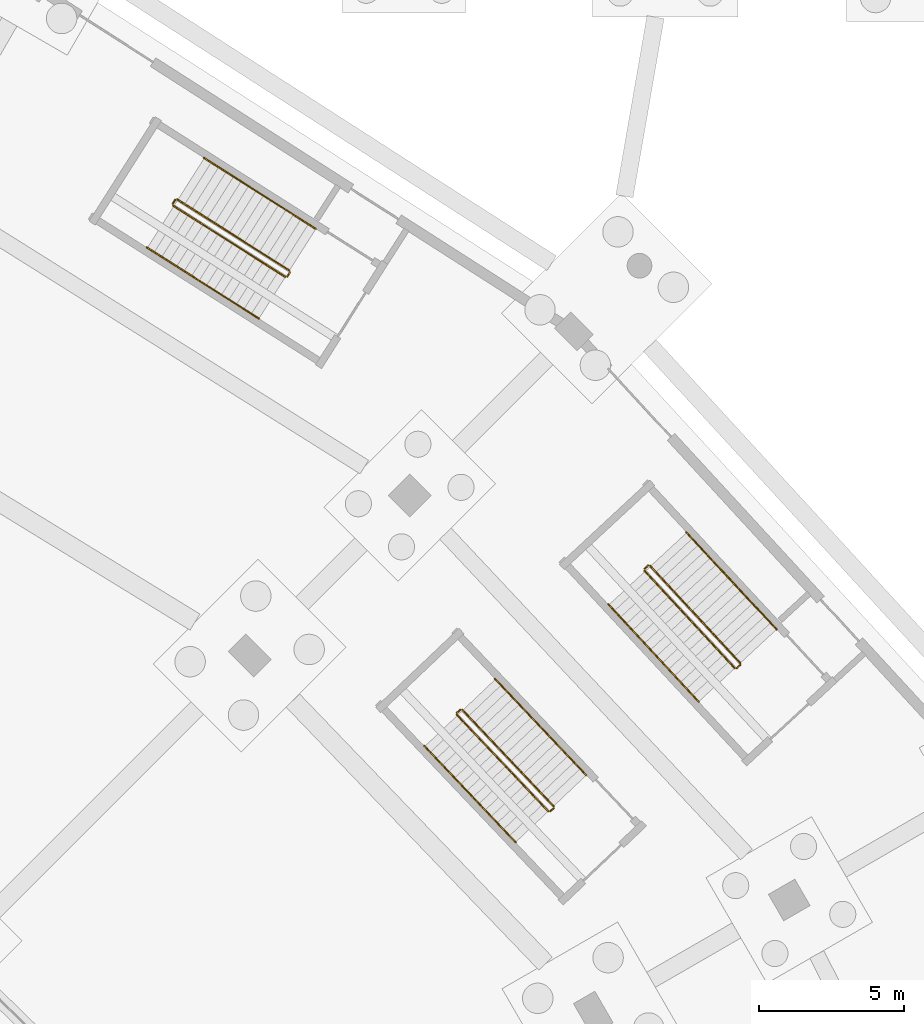
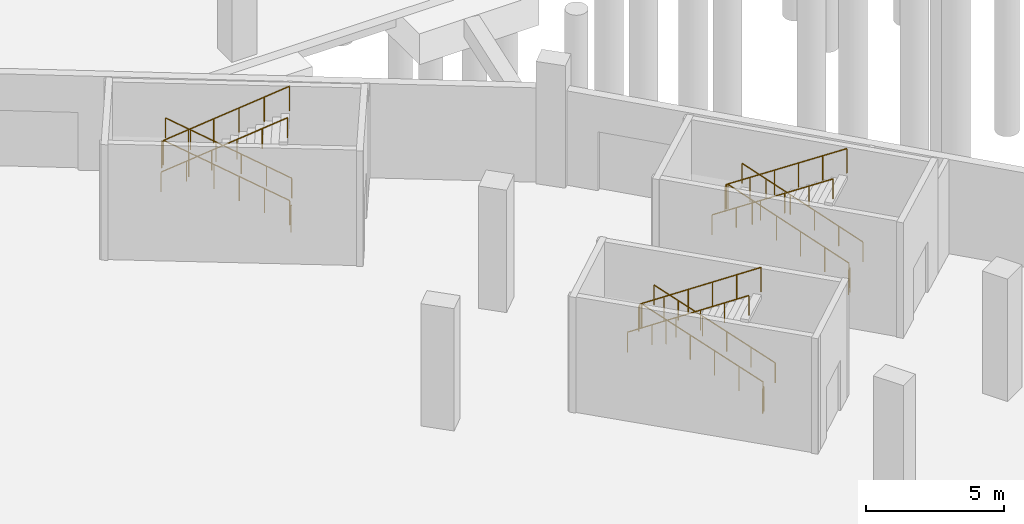
# One storey, part 98 of 103: 18 railings.
"""IFC4 building model written with IfcOpenShell, lengths in metres."""

from ifc_helpers import new_model, si_unit, direction, frame, origin, origin_2d, place, context, subcontext, project, spatial, circle, extrude, material, type_object, element, save


model = new_model("IFC4")

# Units and contexts
model_context = context("Model", 3, precision=1e-05, world=origin(), true_north=direction((0.0, 1.0)))
body_context = subcontext(model_context, "Body", "Model", "MODEL_VIEW")
ifc_project = project(units=[si_unit("LENGTHUNIT", "METRE"), si_unit("AREAUNIT", "SQUARE_METRE"), si_unit("VOLUMEUNIT", "CUBIC_METRE"), si_unit("PLANEANGLEUNIT", "RADIAN"), si_unit("MASSUNIT", "GRAM", prefix="KILO")], contexts=[model_context])

# Site, building, storey
site_placement = place(None, origin())
site = spatial("IfcSite", under=ifc_project, at=site_placement, CompositionType="ELEMENT")
building_placement = place(site_placement, origin())
building = spatial("IfcBuilding", under=site, at=building_placement, Name="Zevraka Park Crest Stadium", CompositionType="ELEMENT")
storey_placement = place(building_placement, origin())
storey = spatial("IfcBuildingStorey", under=building, at=storey_placement, Name="L00", CompositionType="ELEMENT", Elevation=0.0)

# Railings
ifc_material_1 = material(Name="Powder-coated tubular steel stairwell guard", Category="steel")
railing_type_1 = type_object("IfcRailingType", Name="GR03", PredefinedType="GUARDRAIL", material=ifc_material_1)
railing_1_placement = place(storey_placement, frame((181.589599609375, 133.81787109375, 0.168701171875)))
element("IfcRailing", 1, at=railing_1_placement, inside=storey, type_object=railing_type_1, Name="L00 ST03 stair guard 1", PredefinedType="GUARDRAIL", context=body_context, shape_type="SweptSolid", body=[
    extrude(circle(Radius=0.02392578125, at=origin_2d()), frame((0.0, 0.0, 1.076171875), z_axis=(-0.595200057944, 0.641379775313, 0.484116592199), x_axis=(-0.733002525421, -0.680225916682, 0.0)), (0.0, 0.0, 1.0), 5.228515625),
    extrude(circle(Radius=0.02099609375, at=origin_2d()), origin(), (0.0, 0.0, 1.0), 1.052001953125),
    extrude(circle(Radius=0.02099609375, at=origin_2d()), frame((-0.622314453125, 0.670654296875, 0.50634765625)), (0.0, 0.0, 1.0), 1.052001953125),
    extrude(circle(Radius=0.02099609375, at=origin_2d()), frame((-1.244873046875, 1.34130859375, 1.012451171875)), (0.0, 0.0, 1.0), 1.052001953125),
    extrude(circle(Radius=0.02099609375, at=origin_2d()), frame((-1.8671875, 2.01220703125, 1.518798828125)), (0.0, 0.0, 1.0), 1.052001953125),
    extrude(circle(Radius=0.02099609375, at=origin_2d()), frame((-2.48974609375, 2.682861328125, 2.02490234375)), (0.0, 0.0, 1.0), 1.052001953125),
    extrude(circle(Radius=0.02099609375, at=origin_2d()), frame((-3.112060546875, 3.353515625, 2.53125)), (0.0, 0.0, 1.0), 1.052001953125),
])
railing_2_placement = place(storey_placement, frame((178.40673828125, 137.174072265625, 2.699951171875)))
element("IfcRailing", 2, at=railing_2_placement, inside=storey, type_object=railing_type_1, Name="L00 ST03 stair guard 2", PredefinedType="GUARDRAIL", context=body_context, shape_type="SweptSolid", body=[
    extrude(circle(Radius=0.02392578125, at=origin_2d()), frame((0.0, 0.0, 1.076171875), z_axis=(-0.732576022975, -0.680685221348, 0.0), x_axis=(0.680685221348, -0.732576022975, 0.0)), (0.0, 0.0, 1.0), 0.159912109375),
    extrude(circle(Radius=0.02099609375, at=origin_2d()), origin(), (0.0, 0.0, 1.0), 1.052001953125),
    extrude(circle(Radius=0.02099609375, at=origin_2d()), frame((-0.1171875, -0.10888671875, 0.0)), (0.0, 0.0, 1.0), 1.052001953125),
])
railing_3_placement = place(storey_placement, frame((178.286865234375, 136.994384765625, 2.86865234375)))
element("IfcRailing", 3, at=railing_3_placement, inside=storey, type_object=railing_type_1, Name="L00 ST03 stair guard 3", PredefinedType="GUARDRAIL", context=body_context, shape_type="SweptSolid", body=[
    extrude(circle(Radius=0.02392578125, at=origin_2d()), frame((0.0, 0.0, 1.076171875), z_axis=(0.595248033516, -0.641334463473, 0.484117635041), x_axis=(0.732951223976, 0.680281194266, 0.0)), (0.0, 0.0, 1.0), 5.228515625),
    extrude(circle(Radius=0.02099609375, at=origin_2d()), origin(), (0.0, 0.0, 1.0), 1.052001953125),
    extrude(circle(Radius=0.02099609375, at=origin_2d()), frame((0.62255859375, -0.670654296875, 0.50634765625)), (0.0, 0.0, 1.0), 1.052001953125),
    extrude(circle(Radius=0.02099609375, at=origin_2d()), frame((1.244873046875, -1.34130859375, 1.012451171875)), (0.0, 0.0, 1.0), 1.052001953125),
    extrude(circle(Radius=0.02099609375, at=origin_2d()), frame((1.867431640625, -2.011962890625, 1.518798828125)), (0.0, 0.0, 1.0), 1.052001953125),
    extrude(circle(Radius=0.02099609375, at=origin_2d()), frame((2.48974609375, -2.6826171875, 2.02490234375)), (0.0, 0.0, 1.0), 1.052001953125),
    extrude(circle(Radius=0.02099609375, at=origin_2d()), frame((3.1123046875, -3.353271484375, 2.53125)), (0.0, 0.0, 1.0), 1.052001953125),
])
railing_4_placement = place(storey_placement, frame((181.5869140625, 133.747314453125, 0.0)))
element("IfcRailing", 4, at=railing_4_placement, inside=storey, type_object=railing_type_1, Name="L00 ST03 stair guard 4", PredefinedType="GUARDRAIL", context=body_context, shape_type="SweptSolid", body=[
    extrude(circle(Radius=0.02392578125, at=origin_2d()), frame((0.0, 0.0, 1.076171875), z_axis=(-0.732576022975, -0.680685221348, 0.0), x_axis=(0.680685221348, -0.732576022975, 0.0)), (0.0, 0.0, 1.0), 0.159912109375),
    extrude(circle(Radius=0.02099609375, at=origin_2d()), origin(), (0.0, 0.0, 1.0), 1.052001953125),
    extrude(circle(Radius=0.02099609375, at=origin_2d()), frame((-0.1171875, -0.10888671875, 0.0)), (0.0, 0.0, 1.0), 1.052001953125),
])
railing_5_placement = place(storey_placement, frame((166.047607421875, 147.342529296875, 0.168701171875)))
element("IfcRailing", 5, at=railing_5_placement, inside=storey, type_object=railing_type_1, Name="L00 ST04 stair guard 1", PredefinedType="GUARDRAIL", context=body_context, shape_type="SweptSolid", body=[
    extrude(circle(Radius=0.02392578125, at=origin_2d()), frame((0.0, 0.0, 1.076171875), z_axis=(-0.738861952771, 0.468745901407, 0.48410773043), x_axis=(-0.535704457002, -0.844405551111, 0.0)), (0.0, 0.0, 1.0), 5.228759765625),
    extrude(circle(Radius=0.02099609375, at=origin_2d()), origin(), (0.0, 0.0, 1.0), 1.052001953125),
    extrude(circle(Radius=0.02099609375, at=origin_2d()), frame((-0.772705078125, 0.490234375, 0.50634765625)), (0.0, 0.0, 1.0), 1.052001953125),
    extrude(circle(Radius=0.02099609375, at=origin_2d()), frame((-1.54541015625, 0.98046875, 1.012451171875)), (0.0, 0.0, 1.0), 1.052001953125),
    extrude(circle(Radius=0.02099609375, at=origin_2d()), frame((-2.31787109375, 1.470458984375, 1.518798828125)), (0.0, 0.0, 1.0), 1.052001953125),
    extrude(circle(Radius=0.02099609375, at=origin_2d()), frame((-3.090576171875, 1.960693359375, 2.02490234375)), (0.0, 0.0, 1.0), 1.052001953125),
    extrude(circle(Radius=0.02099609375, at=origin_2d()), frame((-3.86328125, 2.450927734375, 2.53125)), (0.0, 0.0, 1.0), 1.052001953125),
])
railing_6_placement = place(storey_placement, frame((162.115478515625, 149.778076171875, 2.699951171875)))
element("IfcRailing", 6, at=railing_6_placement, inside=storey, type_object=railing_type_1, Name="L00 ST04 stair guard 2", PredefinedType="GUARDRAIL", context=body_context, shape_type="SweptSolid", body=[
    extrude(circle(Radius=0.02392578125, at=origin_2d()), frame((0.0, 0.0, 1.076171875), z_axis=(-0.535887230789, -0.844289568736, 0.0), x_axis=(0.844289568736, -0.535887230789, 0.0)), (0.0, 0.0, 1.0), 0.159912109375),
    extrude(circle(Radius=0.02099609375, at=origin_2d()), origin(), (0.0, 0.0, 1.0), 1.052001953125),
    extrude(circle(Radius=0.02099609375, at=origin_2d()), frame((-0.085693359375, -0.135009765625, 0.0)), (0.0, 0.0, 1.0), 1.052001953125),
])
railing_7_placement = place(storey_placement, frame((162.045166015625, 149.573974609375, 2.86865234375)))
element("IfcRailing", 7, at=railing_7_placement, inside=storey, type_object=railing_type_1, Name="L00 ST04 stair guard 3", PredefinedType="GUARDRAIL", context=body_context, shape_type="SweptSolid", body=[
    extrude(circle(Radius=0.02392578125, at=origin_2d()), frame((0.0, 0.0, 1.076171875), z_axis=(0.738840749407, -0.46876207314, 0.484124432146), x_axis=(0.535728596419, 0.844390236193, 0.0)), (0.0, 0.0, 1.0), 5.228515625),
    extrude(circle(Radius=0.02099609375, at=origin_2d()), origin(), (0.0, 0.0, 1.0), 1.052001953125),
    extrude(circle(Radius=0.02099609375, at=origin_2d()), frame((0.772705078125, -0.490234375, 0.50634765625)), (0.0, 0.0, 1.0), 1.052001953125),
    extrude(circle(Radius=0.02099609375, at=origin_2d()), frame((1.545166015625, -0.98046875, 1.012451171875)), (0.0, 0.0, 1.0), 1.052001953125),
    extrude(circle(Radius=0.02099609375, at=origin_2d()), frame((2.31787109375, -1.470458984375, 1.518798828125)), (0.0, 0.0, 1.0), 1.052001953125),
    extrude(circle(Radius=0.02099609375, at=origin_2d()), frame((3.09033203125, -1.960693359375, 2.02490234375)), (0.0, 0.0, 1.0), 1.052001953125),
    extrude(circle(Radius=0.02099609375, at=origin_2d()), frame((3.863037109375, -2.450927734375, 2.53125)), (0.0, 0.0, 1.0), 1.052001953125),
])
railing_8_placement = place(storey_placement, frame((166.06298828125, 147.273681640625, 0.0)))
element("IfcRailing", 8, at=railing_8_placement, inside=storey, type_object=railing_type_1, Name="L00 ST04 stair guard 4", PredefinedType="GUARDRAIL", context=body_context, shape_type="SweptSolid", body=[
    extrude(circle(Radius=0.02392578125, at=origin_2d()), frame((0.0, 0.0, 1.076171875), z_axis=(-0.535197175111, -0.844727165275, 0.0), x_axis=(0.844727165275, -0.535197175111, 0.0)), (0.0, 0.0, 1.0), 0.16015625),
    extrude(circle(Radius=0.02099609375, at=origin_2d()), origin(), (0.0, 0.0, 1.0), 1.052001953125),
    extrude(circle(Radius=0.02099609375, at=origin_2d()), frame((-0.085693359375, -0.13525390625, 0.0)), (0.0, 0.0, 1.0), 1.052001953125),
])
railing_9_placement = place(storey_placement, frame((175.155029296875, 128.885986328125, 0.168701171875)))
element("IfcRailing", 9, at=railing_9_placement, inside=storey, type_object=railing_type_1, Name="L00 ST34 stair guard 1", PredefinedType="GUARDRAIL", context=body_context, shape_type="SweptSolid", body=[
    extrude(circle(Radius=0.02392578125, at=origin_2d()), frame((0.0, 0.0, 1.076171875), z_axis=(-0.602303917005, 0.634709445992, 0.484121793279), x_axis=(-0.725381707983, -0.688346844057, 0.0)), (0.0, 0.0, 1.0), 5.228515625),
    extrude(circle(Radius=0.02099609375, at=origin_2d()), origin(), (0.0, 0.0, 1.0), 1.052001953125),
    extrude(circle(Radius=0.02099609375, at=origin_2d()), frame((-0.6298828125, 0.663818359375, 0.50634765625)), (0.0, 0.0, 1.0), 1.052001953125),
    extrude(circle(Radius=0.02099609375, at=origin_2d()), frame((-1.259765625, 1.327392578125, 1.012451171875)), (0.0, 0.0, 1.0), 1.052001953125),
    extrude(circle(Radius=0.02099609375, at=origin_2d()), frame((-1.889404296875, 1.9912109375, 1.518798828125)), (0.0, 0.0, 1.0), 1.052001953125),
    extrude(circle(Radius=0.02099609375, at=origin_2d()), frame((-2.519287109375, 2.65478515625, 2.02490234375)), (0.0, 0.0, 1.0), 1.052001953125),
    extrude(circle(Radius=0.02099609375, at=origin_2d()), frame((-3.149169921875, 3.318603515625, 2.53125)), (0.0, 0.0, 1.0), 1.052001953125),
])
railing_10_placement = place(storey_placement, frame((171.93505859375, 132.20654296875, 2.699951171875)))
element("IfcRailing", 10, at=railing_10_placement, inside=storey, type_object=railing_type_1, Name="L00 ST34 stair guard 2", PredefinedType="GUARDRAIL", context=body_context, shape_type="SweptSolid", body=[
    extrude(circle(Radius=0.02392578125, at=origin_2d()), frame((0.0, 0.0, 1.076171875), z_axis=(-0.725189994535, -0.688548815863, 0.0), x_axis=(0.688548815863, -0.725189994535, 0.0)), (0.0, 0.0, 1.0), 0.159912109375),
    extrude(circle(Radius=0.02099609375, at=origin_2d()), origin(), (0.0, 0.0, 1.0), 1.052001953125),
    extrude(circle(Radius=0.02099609375, at=origin_2d()), frame((-0.115966796875, -0.110107421875, 0.0)), (0.0, 0.0, 1.0), 1.052001953125),
])
railing_11_placement = place(storey_placement, frame((171.817138671875, 132.025634765625, 2.86865234375)))
element("IfcRailing", 11, at=railing_11_placement, inside=storey, type_object=railing_type_1, Name="L00 ST34 stair guard 3", PredefinedType="GUARDRAIL", context=body_context, shape_type="SweptSolid", body=[
    extrude(circle(Radius=0.02392578125, at=origin_2d()), frame((0.0, 0.0, 1.076171875), z_axis=(0.602303917005, -0.634709445992, 0.484121793279), x_axis=(0.725381707983, 0.688346844057, 0.0)), (0.0, 0.0, 1.0), 5.228515625),
    extrude(circle(Radius=0.02099609375, at=origin_2d()), origin(), (0.0, 0.0, 1.0), 1.052001953125),
    extrude(circle(Radius=0.02099609375, at=origin_2d()), frame((0.6298828125, -0.663818359375, 0.50634765625)), (0.0, 0.0, 1.0), 1.052001953125),
    extrude(circle(Radius=0.02099609375, at=origin_2d()), frame((1.259765625, -1.327392578125, 1.012451171875)), (0.0, 0.0, 1.0), 1.052001953125),
    extrude(circle(Radius=0.02099609375, at=origin_2d()), frame((1.889404296875, -1.9912109375, 1.518798828125)), (0.0, 0.0, 1.0), 1.052001953125),
    extrude(circle(Radius=0.02099609375, at=origin_2d()), frame((2.519287109375, -2.65478515625, 2.02490234375)), (0.0, 0.0, 1.0), 1.052001953125),
    extrude(circle(Radius=0.02099609375, at=origin_2d()), frame((3.149169921875, -3.318603515625, 2.53125)), (0.0, 0.0, 1.0), 1.052001953125),
])
railing_12_placement = place(storey_placement, frame((175.153076171875, 128.815185546875, 0.0)))
element("IfcRailing", 12, at=railing_12_placement, inside=storey, type_object=railing_type_1, Name="L00 ST34 stair guard 4", PredefinedType="GUARDRAIL", context=body_context, shape_type="SweptSolid", body=[
    extrude(circle(Radius=0.02392578125, at=origin_2d()), frame((0.0, 0.0, 1.076171875), z_axis=(-0.725189994535, -0.688548815863, 0.0), x_axis=(0.688548815863, -0.725189994535, 0.0)), (0.0, 0.0, 1.0), 0.159912109375),
    extrude(circle(Radius=0.02099609375, at=origin_2d()), origin(), (0.0, 0.0, 1.0), 1.052001953125),
    extrude(circle(Radius=0.02099609375, at=origin_2d()), frame((-0.115966796875, -0.110107421875, 0.0)), (0.0, 0.0, 1.0), 1.052001953125),
])
ifc_material_2 = material(Name="Brushed stainless steel continuous handrail", Category="steel")
railing_type_2 = type_object("IfcRailingType", Name="HR01", PredefinedType="HANDRAIL", material=ifc_material_2)
railing_13_placement = place(storey_placement, frame((182.835693359375, 134.974365234375, 0.168701171875)))
element("IfcRailing", 13, at=railing_13_placement, inside=storey, type_object=railing_type_2, Name="L00 ST03 stair handrail 1", PredefinedType="HANDRAIL", context=body_context, shape_type="SweptSolid", body=[
    extrude(circle(Radius=0.02392578125, at=origin_2d()), frame((0.0, 0.0, 0.8759765625), z_axis=(-0.595200057944, 0.641379775313, 0.484116592199), x_axis=(-0.733002525421, -0.680225916682, 0.0)), (0.0, 0.0, 1.0), 5.228515625),
    extrude(circle(Radius=0.02099609375, at=origin_2d()), origin(), (0.0, 0.0, 1.0), 0.851806640625),
    extrude(circle(Radius=0.02099609375, at=origin_2d()), frame((-0.622314453125, 0.670654296875, 0.50634765625)), (0.0, 0.0, 1.0), 0.851806640625),
    extrude(circle(Radius=0.02099609375, at=origin_2d()), frame((-1.244873046875, 1.34130859375, 1.012451171875)), (0.0, 0.0, 1.0), 0.851806640625),
    extrude(circle(Radius=0.02099609375, at=origin_2d()), frame((-1.8671875, 2.01220703125, 1.518798828125)), (0.0, 0.0, 1.0), 0.851806640625),
    extrude(circle(Radius=0.02099609375, at=origin_2d()), frame((-2.48974609375, 2.682861328125, 2.02490234375)), (0.0, 0.0, 1.0), 0.851806640625),
    extrude(circle(Radius=0.02099609375, at=origin_2d()), frame((-3.112060546875, 3.353515625, 2.53125)), (0.0, 0.0, 1.0), 0.851806640625),
])
railing_14_placement = place(storey_placement, frame((177.040771484375, 135.838134765625, 2.86865234375)))
element("IfcRailing", 14, at=railing_14_placement, inside=storey, type_object=railing_type_2, Name="L00 ST03 stair handrail 2", PredefinedType="HANDRAIL", context=body_context, shape_type="SweptSolid", body=[
    extrude(circle(Radius=0.02392578125, at=origin_2d()), frame((0.0, 0.0, 0.8759765625), z_axis=(0.595230208302, -0.641361950207, 0.484103137722), x_axis=(0.732975918341, 0.680254586998, 0.0)), (0.0, 0.0, 1.0), 5.228759765625),
    extrude(circle(Radius=0.02099609375, at=origin_2d()), origin(), (0.0, 0.0, 1.0), 0.851806640625),
    extrude(circle(Radius=0.02099609375, at=origin_2d()), frame((0.62255859375, -0.670654296875, 0.50634765625)), (0.0, 0.0, 1.0), 0.851806640625),
    extrude(circle(Radius=0.02099609375, at=origin_2d()), frame((1.244873046875, -1.34130859375, 1.012451171875)), (0.0, 0.0, 1.0), 0.851806640625),
    extrude(circle(Radius=0.02099609375, at=origin_2d()), frame((1.867431640625, -2.01220703125, 1.518798828125)), (0.0, 0.0, 1.0), 0.851806640625),
    extrude(circle(Radius=0.02099609375, at=origin_2d()), frame((2.48974609375, -2.682861328125, 2.02490234375)), (0.0, 0.0, 1.0), 0.851806640625),
    extrude(circle(Radius=0.02099609375, at=origin_2d()), frame((3.1123046875, -3.353515625, 2.53125)), (0.0, 0.0, 1.0), 0.851806640625),
])
railing_15_placement = place(storey_placement, frame((166.958251953125, 148.778076171875, 0.168701171875)))
element("IfcRailing", 15, at=railing_15_placement, inside=storey, type_object=railing_type_2, Name="L00 ST04 stair handrail 1", PredefinedType="HANDRAIL", context=body_context, shape_type="SweptSolid", body=[
    extrude(circle(Radius=0.02392578125, at=origin_2d()), frame((0.0, 0.0, 0.8759765625), z_axis=(-0.738840749407, 0.46876207314, 0.484124432146), x_axis=(-0.535728596419, -0.844390236193, 0.0)), (0.0, 0.0, 1.0), 5.228515625),
    extrude(circle(Radius=0.02099609375, at=origin_2d()), origin(), (0.0, 0.0, 1.0), 0.851806640625),
    extrude(circle(Radius=0.02099609375, at=origin_2d()), frame((-0.772705078125, 0.490234375, 0.50634765625)), (0.0, 0.0, 1.0), 0.851806640625),
    extrude(circle(Radius=0.02099609375, at=origin_2d()), frame((-1.545166015625, 0.98046875, 1.012451171875)), (0.0, 0.0, 1.0), 0.851806640625),
    extrude(circle(Radius=0.02099609375, at=origin_2d()), frame((-2.31787109375, 1.470458984375, 1.518798828125)), (0.0, 0.0, 1.0), 0.851806640625),
    extrude(circle(Radius=0.02099609375, at=origin_2d()), frame((-3.09033203125, 1.960693359375, 2.02490234375)), (0.0, 0.0, 1.0), 0.851806640625),
    extrude(circle(Radius=0.02099609375, at=origin_2d()), frame((-3.863037109375, 2.450927734375, 2.53125)), (0.0, 0.0, 1.0), 0.851806640625),
])
railing_16_placement = place(storey_placement, frame((161.13427734375, 148.138427734375, 2.86865234375)))
element("IfcRailing", 16, at=railing_16_placement, inside=storey, type_object=railing_type_2, Name="L00 ST04 stair handrail 2", PredefinedType="HANDRAIL", context=body_context, shape_type="SweptSolid", body=[
    extrude(circle(Radius=0.02392578125, at=origin_2d()), frame((0.0, 0.0, 0.8759765625), z_axis=(0.738861952771, -0.468745901407, 0.48410773043), x_axis=(0.535704457002, 0.844405551111, 0.0)), (0.0, 0.0, 1.0), 5.228759765625),
    extrude(circle(Radius=0.02099609375, at=origin_2d()), origin(), (0.0, 0.0, 1.0), 0.851806640625),
    extrude(circle(Radius=0.02099609375, at=origin_2d()), frame((0.772705078125, -0.490234375, 0.50634765625)), (0.0, 0.0, 1.0), 0.851806640625),
    extrude(circle(Radius=0.02099609375, at=origin_2d()), frame((1.54541015625, -0.98046875, 1.012451171875)), (0.0, 0.0, 1.0), 0.851806640625),
    extrude(circle(Radius=0.02099609375, at=origin_2d()), frame((2.31787109375, -1.470458984375, 1.518798828125)), (0.0, 0.0, 1.0), 0.851806640625),
    extrude(circle(Radius=0.02099609375, at=origin_2d()), frame((3.090576171875, -1.960693359375, 2.02490234375)), (0.0, 0.0, 1.0), 0.851806640625),
    extrude(circle(Radius=0.02099609375, at=origin_2d()), frame((3.86328125, -2.450927734375, 2.53125)), (0.0, 0.0, 1.0), 0.851806640625),
])
railing_17_placement = place(storey_placement, frame((176.279296875, 129.952880859375, 0.168701171875)))
element("IfcRailing", 17, at=railing_17_placement, inside=storey, type_object=railing_type_2, Name="L00 ST34 stair handrail 1", PredefinedType="HANDRAIL", context=body_context, shape_type="SweptSolid", body=[
    extrude(circle(Radius=0.02392578125, at=origin_2d()), frame((0.0, 0.0, 0.8759765625), z_axis=(-0.602303917005, 0.634709445992, 0.484121793279), x_axis=(-0.725381707983, -0.688346844057, 0.0)), (0.0, 0.0, 1.0), 5.228515625),
    extrude(circle(Radius=0.02099609375, at=origin_2d()), origin(), (0.0, 0.0, 1.0), 0.851806640625),
    extrude(circle(Radius=0.02099609375, at=origin_2d()), frame((-0.6298828125, 0.663818359375, 0.50634765625)), (0.0, 0.0, 1.0), 0.851806640625),
    extrude(circle(Radius=0.02099609375, at=origin_2d()), frame((-1.259765625, 1.327392578125, 1.012451171875)), (0.0, 0.0, 1.0), 0.851806640625),
    extrude(circle(Radius=0.02099609375, at=origin_2d()), frame((-1.889404296875, 1.9912109375, 1.518798828125)), (0.0, 0.0, 1.0), 0.851806640625),
    extrude(circle(Radius=0.02099609375, at=origin_2d()), frame((-2.519287109375, 2.65478515625, 2.02490234375)), (0.0, 0.0, 1.0), 0.851806640625),
    extrude(circle(Radius=0.02099609375, at=origin_2d()), frame((-3.149169921875, 3.318603515625, 2.53125)), (0.0, 0.0, 1.0), 0.851806640625),
])
railing_18_placement = place(storey_placement, frame((170.69287109375, 130.958740234375, 2.86865234375)))
element("IfcRailing", 18, at=railing_18_placement, inside=storey, type_object=railing_type_2, Name="L00 ST34 stair handrail 2", PredefinedType="HANDRAIL", context=body_context, shape_type="SweptSolid", body=[
    extrude(circle(Radius=0.02392578125, at=origin_2d()), frame((0.0, 0.0, 0.8759765625), z_axis=(0.602303917005, -0.634709445992, 0.484121793279), x_axis=(0.725381707983, 0.688346844057, 0.0)), (0.0, 0.0, 1.0), 5.228515625),
    extrude(circle(Radius=0.02099609375, at=origin_2d()), origin(), (0.0, 0.0, 1.0), 0.851806640625),
    extrude(circle(Radius=0.02099609375, at=origin_2d()), frame((0.6298828125, -0.663818359375, 0.50634765625)), (0.0, 0.0, 1.0), 0.851806640625),
    extrude(circle(Radius=0.02099609375, at=origin_2d()), frame((1.259765625, -1.327392578125, 1.012451171875)), (0.0, 0.0, 1.0), 0.851806640625),
    extrude(circle(Radius=0.02099609375, at=origin_2d()), frame((1.889404296875, -1.9912109375, 1.518798828125)), (0.0, 0.0, 1.0), 0.851806640625),
    extrude(circle(Radius=0.02099609375, at=origin_2d()), frame((2.519287109375, -2.65478515625, 2.02490234375)), (0.0, 0.0, 1.0), 0.851806640625),
    extrude(circle(Radius=0.02099609375, at=origin_2d()), frame((3.149169921875, -3.318603515625, 2.53125)), (0.0, 0.0, 1.0), 0.851806640625),
])

save(model, "model.ifc")
